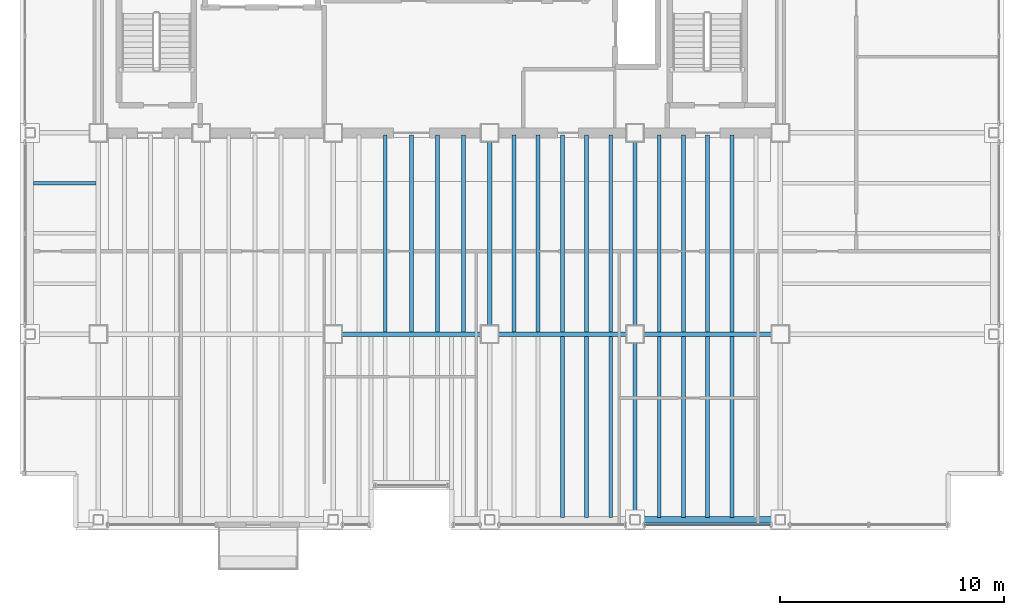
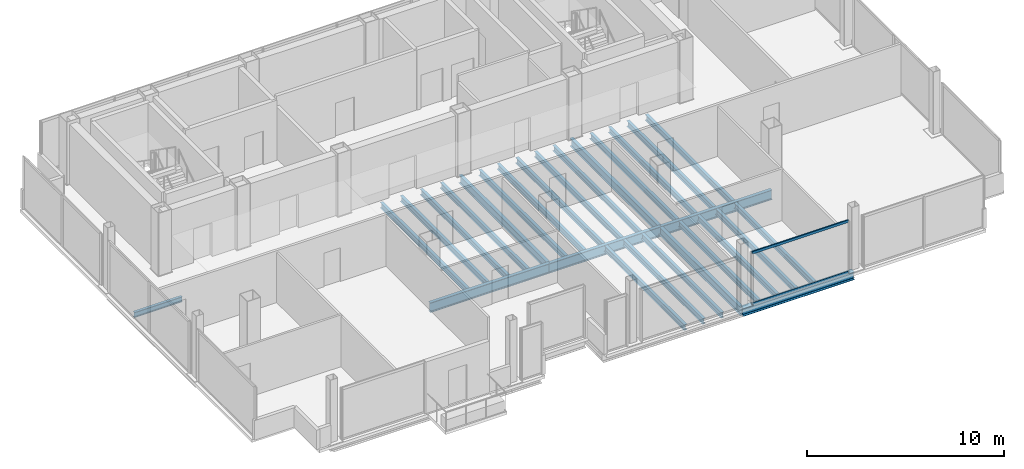
# One storey, part 5 of 15: 28 beams, 2 members, 1 element without a shape of its own.
"""IFC4 building model written with IfcOpenShell, lengths in metres."""

from ifc_helpers import new_model, si_unit, direction, frame, origin, origin_2d, place, context, subcontext, project, spatial, hollow_rectangle, i_section, extrude, material, material_profile, profile_set, type_object, element, aggregate, save


model = new_model("IFC4")

# Units and contexts
model_context = context("Model", 3, precision=1e-05, world=origin(), true_north=direction((0.0, 1.0)))
body_context = subcontext(model_context, "Body", "Model", "MODEL_VIEW")
ifc_project = project(units=[si_unit("LENGTHUNIT", "METRE"), si_unit("AREAUNIT", "SQUARE_METRE"), si_unit("VOLUMEUNIT", "CUBIC_METRE"), si_unit("PLANEANGLEUNIT", "RADIAN"), si_unit("MASSUNIT", "GRAM", prefix="KILO")], contexts=[model_context])

# Site, building, storey
site_placement = place(None, origin())
site = spatial("IfcSite", under=ifc_project, at=site_placement, CompositionType="ELEMENT")
building_placement = place(site_placement, origin())
building = spatial("IfcBuilding", under=site, at=building_placement, Name="Noeulbin Bourse Tower", CompositionType="ELEMENT")
storey_placement = place(building_placement, frame((0.0, 0.0, 218.89990234375)))
storey = spatial("IfcBuildingStorey", under=building, at=storey_placement, Name="L54", CompositionType="ELEMENT", Elevation=218.89990234375)

# Beams
ifc_material_1 = material(Name="Steel S355", Category="steel")
ifc_material_profile_1 = material_profile(ifc_material_1, i_section(OverallWidth=0.199951171875, OverallDepth=0.5, WebThickness=0.010009765625, FlangeThickness=0.01611328125, FilletRadius=0.02001953125, at=origin_2d()), Name="H-500x200x10x16", Category="LoadBearing")
ifc_profile_set_1 = profile_set([ifc_material_profile_1], Name="Steel S355")
beam_type_1 = type_object("IfcBeamType", Name="BM-GRD-500", PredefinedType="USERDEFINED", material=ifc_profile_set_1)
beam_1_placement = place(storey_placement, frame((31.0, 20.0, -0.429931640625), z_axis=(0.0, 1.0, 0.0), x_axis=(-1.0, 0.0, 0.0)))
element("IfcBeam", 1, at=beam_1_placement, inside=storey, type_object=beam_type_1, Name="Tower Primary Girder NS L54-3.2", ObjectType="GIRDER", PredefinedType="USERDEFINED", context=body_context, shape_type="SweptSolid", body=[
    extrude(i_section(OverallWidth=0.199951171875, OverallDepth=0.5, WebThickness=0.010009765625, FlangeThickness=0.01611328125, FilletRadius=0.02001953125, at=origin_2d()), origin(), (0.0, 0.0, 1.0), 9.0),
])
beam_2_placement = place(storey_placement, frame((37.5, 11.699951171875, -0.429931640625), z_axis=(0.0, 1.0, 0.0), x_axis=(-1.0, 0.0, 0.0)))
element("IfcBeam", 2, at=beam_2_placement, inside=storey, type_object=beam_type_1, Name="Tower Primary Girder NS L54-4.1", ObjectType="GIRDER", PredefinedType="USERDEFINED", context=body_context, shape_type="SweptSolid", body=[
    extrude(i_section(OverallWidth=0.199951171875, OverallDepth=0.5, WebThickness=0.010009765625, FlangeThickness=0.01611328125, FilletRadius=0.02001953125, at=origin_2d()), origin(), (0.0, 0.0, 1.0), 8.300048828125),
])
beam_3_placement = place(storey_placement, frame((37.5, 20.0, -0.429931640625), z_axis=(0.0, 1.0, 0.0), x_axis=(-1.0, 0.0, 0.0)))
element("IfcBeam", 3, at=beam_3_placement, inside=storey, type_object=beam_type_1, Name="Tower Primary Girder NS L54-4.2", ObjectType="GIRDER", PredefinedType="USERDEFINED", context=body_context, shape_type="SweptSolid", body=[
    extrude(i_section(OverallWidth=0.199951171875, OverallDepth=0.5, WebThickness=0.010009765625, FlangeThickness=0.01611328125, FilletRadius=0.02001953125, at=origin_2d()), origin(), (0.0, 0.0, 1.0), 9.0),
])
ifc_material_profile_2 = material_profile(ifc_material_1, i_section(OverallWidth=0.199951171875, OverallDepth=0.60009765625, WebThickness=0.010986328125, FlangeThickness=0.01708984375, FilletRadius=0.02197265625, at=origin_2d()), Name="H-600x200x11x17", Category="LoadBearing")
ifc_profile_set_2 = profile_set([ifc_material_profile_2], Name="Steel S355")
beam_type_2 = type_object("IfcBeamType", Name="BM-GRD-600", PredefinedType="USERDEFINED", material=ifc_profile_set_2)
beam_4_placement = place(storey_placement, frame((24.0, 20.0, -0.47998046875), z_axis=(1.0, 0.0, 0.0), x_axis=(0.0, 1.0, 0.0)))
element("IfcBeam", 4, at=beam_4_placement, inside=storey, type_object=beam_type_2, Name="Tower Primary Girder EW L54-1.3", ObjectType="GIRDER", PredefinedType="USERDEFINED", context=body_context, shape_type="SweptSolid", body=[
    extrude(i_section(OverallWidth=0.199951171875, OverallDepth=0.60009765625, WebThickness=0.010986328125, FlangeThickness=0.01708984375, FilletRadius=0.02197265625, at=origin_2d()), origin(), (0.0, 0.0, 1.0), 7.0),
])
for number, where, z_axis, x_axis, name in (
    (5, (31.0, 20.0, -0.47998046875), (1.0, 0.0, 0.0), (0.0, 1.0, 0.0), "Tower Primary Girder EW L54-1.4"),
    (6, (37.5, 20.0, -0.47998046875), (1.0, 0.0, 0.0), (0.0, 1.0, 0.0), "Tower Primary Girder EW L54-1.5"),
):
    element("IfcBeam", number, at=place(storey_placement, frame(where, z_axis=z_axis, x_axis=x_axis)), inside=storey, type_object=beam_type_2, Name=name, ObjectType="GIRDER", PredefinedType="USERDEFINED", context=body_context, shape_type="SweptSolid", body=[
        extrude(i_section(OverallWidth=0.199951171875, OverallDepth=0.60009765625, WebThickness=0.010986328125, FlangeThickness=0.01708984375, FilletRadius=0.02197265625, at=origin_2d()), origin(), (0.0, 0.0, 1.0), 6.5),
    ])
ifc_material_profile_3 = material_profile(ifc_material_1, i_section(OverallWidth=0.159912109375, OverallDepth=0.320068359375, WebThickness=0.006591796875, FlangeThickness=0.010009765625, FilletRadius=0.012939453125, at=origin_2d()), Name="H-320x160x6.5x10", Category="LoadBearing")
ifc_profile_set_3 = profile_set([ifc_material_profile_3], Name="Steel S355")
beam_type_3 = type_object("IfcBeamType", Name="BM-JST-320", PredefinedType="JOIST", material=ifc_profile_set_3)
beam_5_placement = place(storey_placement, frame((10.60009765625, 26.75, -0.33984375), z_axis=(1.0, 0.0, 0.0), x_axis=(0.0, 1.0, 0.0)))
element("IfcBeam", 7, at=beam_5_placement, inside=storey, type_object=beam_type_3, Name="Wing Composite Joist L54-W49", PredefinedType="JOIST", context=body_context, shape_type="SweptSolid", body=[
    extrude(i_section(OverallWidth=0.159912109375, OverallDepth=0.320068359375, WebThickness=0.006591796875, FlangeThickness=0.010009765625, FilletRadius=0.012939453125, at=origin_2d()), origin(), (0.0, 0.0, 1.0), 2.7998046875),
])
ifc_material_profile_4 = material_profile(ifc_material_1, i_section(OverallWidth=0.175048828125, OverallDepth=0.35009765625, WebThickness=0.007080078125, FlangeThickness=0.010986328125, FilletRadius=0.013916015625, at=origin_2d()), Name="H-350x175x7x11", Category="LoadBearing")
ifc_profile_set_4 = profile_set([ifc_material_profile_4], Name="Steel S355")
beam_type_4 = type_object("IfcBeamType", Name="BM-JST-350", PredefinedType="JOIST", material=ifc_profile_set_4)
for number, where, z_axis, x_axis, name in (
    (8, (26.333251953125, 20.10009765625, -0.35498046875), (0.0, 1.0, 0.0), (-1.0, 0.0, 0.0), "Tower Composite Joist L54-20"),
    (9, (27.5, 20.10009765625, -0.35498046875), (0.0, 1.0, 0.0), (-1.0, 0.0, 0.0), "Tower Composite Joist L54-22"),
    (10, (28.666748046875, 20.10009765625, -0.35498046875), (0.0, 1.0, 0.0), (-1.0, 0.0, 0.0), "Tower Composite Joist L54-24"),
    (11, (29.833251953125, 20.10009765625, -0.35498046875), (0.0, 1.0, 0.0), (-1.0, 0.0, 0.0), "Tower Composite Joist L54-26"),
    (12, (32.083251953125, 20.10009765625, -0.35498046875), (0.0, 1.0, 0.0), (-1.0, 0.0, 0.0), "Tower Composite Joist L54-28"),
    (13, (33.166748046875, 20.10009765625, -0.35498046875), (0.0, 1.0, 0.0), (-1.0, 0.0, 0.0), "Tower Composite Joist L54-30"),
):
    element("IfcBeam", number, at=place(storey_placement, frame(where, z_axis=z_axis, x_axis=x_axis)), inside=storey, type_object=beam_type_4, Name=name, PredefinedType="JOIST", context=body_context, shape_type="SweptSolid", body=[
        extrude(i_section(OverallWidth=0.175048828125, OverallDepth=0.35009765625, WebThickness=0.007080078125, FlangeThickness=0.010986328125, FilletRadius=0.013916015625, at=origin_2d()), origin(), (0.0, 0.0, 1.0), 8.7998046875),
    ])
beam_6_placement = place(storey_placement, frame((34.25, 11.800048828125, -0.35498046875), z_axis=(0.0, 1.0, 0.0), x_axis=(-1.0, 0.0, 0.0)))
element("IfcBeam", 14, at=beam_6_placement, inside=storey, type_object=beam_type_4, Name="Tower Composite Joist L54-31", PredefinedType="JOIST", context=body_context, shape_type="SweptSolid", body=[
    extrude(i_section(OverallWidth=0.175048828125, OverallDepth=0.35009765625, WebThickness=0.007080078125, FlangeThickness=0.010986328125, FilletRadius=0.013916015625, at=origin_2d()), origin(), (0.0, 0.0, 1.0), 8.099853515625),
])
beam_7_placement = place(storey_placement, frame((34.25, 20.10009765625, -0.35498046875), z_axis=(0.0, 1.0, 0.0), x_axis=(-1.0, 0.0, 0.0)))
element("IfcBeam", 15, at=beam_7_placement, inside=storey, type_object=beam_type_4, Name="Tower Composite Joist L54-32", PredefinedType="JOIST", context=body_context, shape_type="SweptSolid", body=[
    extrude(i_section(OverallWidth=0.175048828125, OverallDepth=0.35009765625, WebThickness=0.007080078125, FlangeThickness=0.010986328125, FilletRadius=0.013916015625, at=origin_2d()), origin(), (0.0, 0.0, 1.0), 8.7998046875),
])
beam_8_placement = place(storey_placement, frame((35.333251953125, 11.800048828125, -0.35498046875), z_axis=(0.0, 1.0, 0.0), x_axis=(-1.0, 0.0, 0.0)))
element("IfcBeam", 16, at=beam_8_placement, inside=storey, type_object=beam_type_4, Name="Tower Composite Joist L54-33", PredefinedType="JOIST", context=body_context, shape_type="SweptSolid", body=[
    extrude(i_section(OverallWidth=0.175048828125, OverallDepth=0.35009765625, WebThickness=0.007080078125, FlangeThickness=0.010986328125, FilletRadius=0.013916015625, at=origin_2d()), origin(), (0.0, 0.0, 1.0), 8.099853515625),
])
beam_9_placement = place(storey_placement, frame((35.333251953125, 20.10009765625, -0.35498046875), z_axis=(0.0, 1.0, 0.0), x_axis=(-1.0, 0.0, 0.0)))
element("IfcBeam", 17, at=beam_9_placement, inside=storey, type_object=beam_type_4, Name="Tower Composite Joist L54-34", PredefinedType="JOIST", context=body_context, shape_type="SweptSolid", body=[
    extrude(i_section(OverallWidth=0.175048828125, OverallDepth=0.35009765625, WebThickness=0.007080078125, FlangeThickness=0.010986328125, FilletRadius=0.013916015625, at=origin_2d()), origin(), (0.0, 0.0, 1.0), 8.7998046875),
])
beam_10_placement = place(storey_placement, frame((36.416748046875, 11.800048828125, -0.35498046875), z_axis=(0.0, 1.0, 0.0), x_axis=(-1.0, 0.0, 0.0)))
element("IfcBeam", 18, at=beam_10_placement, inside=storey, type_object=beam_type_4, Name="Tower Composite Joist L54-35", PredefinedType="JOIST", context=body_context, shape_type="SweptSolid", body=[
    extrude(i_section(OverallWidth=0.175048828125, OverallDepth=0.35009765625, WebThickness=0.007080078125, FlangeThickness=0.010986328125, FilletRadius=0.013916015625, at=origin_2d()), origin(), (0.0, 0.0, 1.0), 8.099853515625),
])
beam_11_placement = place(storey_placement, frame((36.416748046875, 20.10009765625, -0.35498046875), z_axis=(0.0, 1.0, 0.0), x_axis=(-1.0, 0.0, 0.0)))
element("IfcBeam", 19, at=beam_11_placement, inside=storey, type_object=beam_type_4, Name="Tower Composite Joist L54-36", PredefinedType="JOIST", context=body_context, shape_type="SweptSolid", body=[
    extrude(i_section(OverallWidth=0.175048828125, OverallDepth=0.35009765625, WebThickness=0.007080078125, FlangeThickness=0.010986328125, FilletRadius=0.013916015625, at=origin_2d()), origin(), (0.0, 0.0, 1.0), 8.7998046875),
])
beam_12_placement = place(storey_placement, frame((38.583251953125, 11.800048828125, -0.35498046875), z_axis=(0.0, 1.0, 0.0), x_axis=(-1.0, 0.0, 0.0)))
element("IfcBeam", 20, at=beam_12_placement, inside=storey, type_object=beam_type_4, Name="Tower Composite Joist L54-37", PredefinedType="JOIST", context=body_context, shape_type="SweptSolid", body=[
    extrude(i_section(OverallWidth=0.175048828125, OverallDepth=0.35009765625, WebThickness=0.007080078125, FlangeThickness=0.010986328125, FilletRadius=0.013916015625, at=origin_2d()), origin(), (0.0, 0.0, 1.0), 8.099853515625),
])
beam_13_placement = place(storey_placement, frame((38.583251953125, 20.10009765625, -0.35498046875), z_axis=(0.0, 1.0, 0.0), x_axis=(-1.0, 0.0, 0.0)))
element("IfcBeam", 21, at=beam_13_placement, inside=storey, type_object=beam_type_4, Name="Tower Composite Joist L54-38", PredefinedType="JOIST", context=body_context, shape_type="SweptSolid", body=[
    extrude(i_section(OverallWidth=0.175048828125, OverallDepth=0.35009765625, WebThickness=0.007080078125, FlangeThickness=0.010986328125, FilletRadius=0.013916015625, at=origin_2d()), origin(), (0.0, 0.0, 1.0), 8.7998046875),
])
beam_14_placement = place(storey_placement, frame((39.666748046875, 11.800048828125, -0.35498046875), z_axis=(0.0, 1.0, 0.0), x_axis=(-1.0, 0.0, 0.0)))
element("IfcBeam", 22, at=beam_14_placement, inside=storey, type_object=beam_type_4, Name="Tower Composite Joist L54-39", PredefinedType="JOIST", context=body_context, shape_type="SweptSolid", body=[
    extrude(i_section(OverallWidth=0.175048828125, OverallDepth=0.35009765625, WebThickness=0.007080078125, FlangeThickness=0.010986328125, FilletRadius=0.013916015625, at=origin_2d()), origin(), (0.0, 0.0, 1.0), 8.099853515625),
])
beam_15_placement = place(storey_placement, frame((39.666748046875, 20.10009765625, -0.35498046875), z_axis=(0.0, 1.0, 0.0), x_axis=(-1.0, 0.0, 0.0)))
element("IfcBeam", 23, at=beam_15_placement, inside=storey, type_object=beam_type_4, Name="Tower Composite Joist L54-40", PredefinedType="JOIST", context=body_context, shape_type="SweptSolid", body=[
    extrude(i_section(OverallWidth=0.175048828125, OverallDepth=0.35009765625, WebThickness=0.007080078125, FlangeThickness=0.010986328125, FilletRadius=0.013916015625, at=origin_2d()), origin(), (0.0, 0.0, 1.0), 8.7998046875),
])
beam_16_placement = place(storey_placement, frame((40.75, 11.800048828125, -0.35498046875), z_axis=(0.0, 1.0, 0.0), x_axis=(-1.0, 0.0, 0.0)))
element("IfcBeam", 24, at=beam_16_placement, inside=storey, type_object=beam_type_4, Name="Tower Composite Joist L54-41", PredefinedType="JOIST", context=body_context, shape_type="SweptSolid", body=[
    extrude(i_section(OverallWidth=0.175048828125, OverallDepth=0.35009765625, WebThickness=0.007080078125, FlangeThickness=0.010986328125, FilletRadius=0.013916015625, at=origin_2d()), origin(), (0.0, 0.0, 1.0), 8.099853515625),
])
beam_17_placement = place(storey_placement, frame((40.75, 20.10009765625, -0.35498046875), z_axis=(0.0, 1.0, 0.0), x_axis=(-1.0, 0.0, 0.0)))
element("IfcBeam", 25, at=beam_17_placement, inside=storey, type_object=beam_type_4, Name="Tower Composite Joist L54-42", PredefinedType="JOIST", context=body_context, shape_type="SweptSolid", body=[
    extrude(i_section(OverallWidth=0.175048828125, OverallDepth=0.35009765625, WebThickness=0.007080078125, FlangeThickness=0.010986328125, FilletRadius=0.013916015625, at=origin_2d()), origin(), (0.0, 0.0, 1.0), 8.7998046875),
])
beam_18_placement = place(storey_placement, frame((41.833251953125, 11.800048828125, -0.35498046875), z_axis=(0.0, 1.0, 0.0), x_axis=(-1.0, 0.0, 0.0)))
element("IfcBeam", 26, at=beam_18_placement, inside=storey, type_object=beam_type_4, Name="Tower Composite Joist L54-43", PredefinedType="JOIST", context=body_context, shape_type="SweptSolid", body=[
    extrude(i_section(OverallWidth=0.175048828125, OverallDepth=0.35009765625, WebThickness=0.007080078125, FlangeThickness=0.010986328125, FilletRadius=0.013916015625, at=origin_2d()), origin(), (0.0, 0.0, 1.0), 8.099853515625),
])
beam_19_placement = place(storey_placement, frame((41.833251953125, 20.10009765625, -0.35498046875), z_axis=(0.0, 1.0, 0.0), x_axis=(-1.0, 0.0, 0.0)))
element("IfcBeam", 27, at=beam_19_placement, inside=storey, type_object=beam_type_4, Name="Tower Composite Joist L54-44", PredefinedType="JOIST", context=body_context, shape_type="SweptSolid", body=[
    extrude(i_section(OverallWidth=0.175048828125, OverallDepth=0.35009765625, WebThickness=0.007080078125, FlangeThickness=0.010986328125, FilletRadius=0.013916015625, at=origin_2d()), origin(), (0.0, 0.0, 1.0), 8.7998046875),
])
ifc_material_profile_5 = material_profile(ifc_material_1, i_section(OverallWidth=0.300048828125, OverallDepth=0.488037109375, WebThickness=0.010986328125, FlangeThickness=0.01806640625, FilletRadius=0.02197265625, at=origin_2d()), Name="H-488x300x11x18", Category="LoadBearing")
ifc_profile_set_5 = profile_set([ifc_material_profile_5], Name="Steel S355")
beam_type_5 = type_object("IfcBeamType", Name="BM-SPN-488", PredefinedType="SPANDREL", material=ifc_profile_set_5)
beam_20_placement = place(storey_placement, frame((37.5, 11.699951171875, -0.423828125), z_axis=(1.0, 0.0, 0.0), x_axis=(0.0, 1.0, 0.0)))
element("IfcBeam", 28, at=beam_20_placement, inside=storey, type_object=beam_type_5, Name="South Spandrel L54-4", PredefinedType="SPANDREL", context=body_context, shape_type="SweptSolid", body=[
    extrude(i_section(OverallWidth=0.300048828125, OverallDepth=0.488037109375, WebThickness=0.010986328125, FlangeThickness=0.01806640625, FilletRadius=0.02197265625, at=origin_2d()), origin(), (0.0, 0.0, 1.0), 6.5),
])

# Curtain wall, members
ifc_material_2 = material(Name="High-Selectivity Low-Iron Glazing", Category="glass")
curtain_wall_type = type_object("IfcCurtainWallType", Name="CW-SYS-4", PredefinedType="NOTDEFINED", material=ifc_material_2)
curtain_wall_placement = place(storey_placement, origin())
curtain_wall = element("IfcCurtainWall", 29, at=curtain_wall_placement, inside=storey, type_object=curtain_wall_type, Name="Unitised Curtain Wall CW-L54-S3-S3", PredefinedType="NOTDEFINED")
ifc_material_3 = material(Name="Anodised Aluminium 6063-T6", Category="aluminium")
ifc_material_profile_6 = material_profile(ifc_material_3, hollow_rectangle(XDim=0.074951171875, YDim=0.159912109375, WallThickness=0.0048828125, InnerFilletRadius=0.00244140625, OuterFilletRadius=0.0048828125, at=origin_2d()), Name="ALU-TRAN-75x160x5", Category="LoadBearing")
ifc_profile_set_6 = profile_set([ifc_material_profile_6], Name="Anodised Aluminium 6063-T6")
member_type = type_object("IfcMemberType", Name="CW-SYS-4-TRN", PredefinedType="USERDEFINED", material=ifc_profile_set_6)
member_1_placement = place(storey_placement, frame((37.93505859375, 11.469970703125, 0.010009765625), z_axis=(1.0, 0.0, 0.0), x_axis=(0.0, 1.0, 0.0)))
member_1 = element("IfcMember", 30, at=member_1_placement, type_object=member_type, Name="Curtain Wall Transom CW-L54-S3-S3-T00", ObjectType="TRANSOM", PredefinedType="USERDEFINED", context=body_context, shape_type="SweptSolid", body=[
    extrude(hollow_rectangle(XDim=0.074951171875, YDim=0.159912109375, WallThickness=0.0048828125, InnerFilletRadius=0.00244140625, OuterFilletRadius=0.0048828125, at=origin_2d()), origin(), (0.0, 0.0, 1.0), 5.6298828125),
])
member_2_placement = place(storey_placement, frame((37.93505859375, 11.469970703125, 3.170166015625), z_axis=(1.0, 0.0, 0.0), x_axis=(0.0, 1.0, 0.0)))
member_2 = element("IfcMember", 31, at=member_2_placement, type_object=member_type, Name="Curtain Wall Transom CW-L54-S3-S3-T01", ObjectType="TRANSOM", PredefinedType="USERDEFINED", context=body_context, shape_type="SweptSolid", body=[
    extrude(hollow_rectangle(XDim=0.074951171875, YDim=0.159912109375, WallThickness=0.0048828125, InnerFilletRadius=0.00244140625, OuterFilletRadius=0.0048828125, at=origin_2d()), origin(), (0.0, 0.0, 1.0), 5.6298828125),
])
aggregate(curtain_wall, [member_1, member_2])

save(model, "model.ifc")
